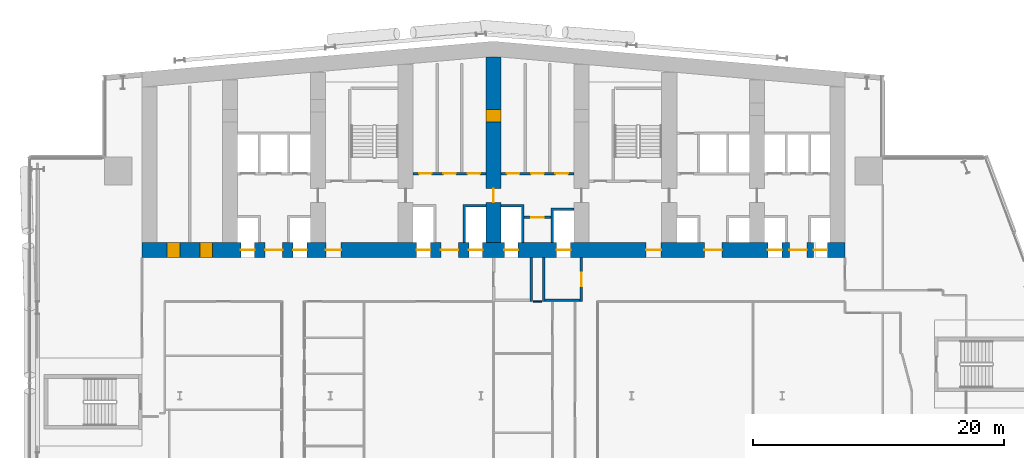
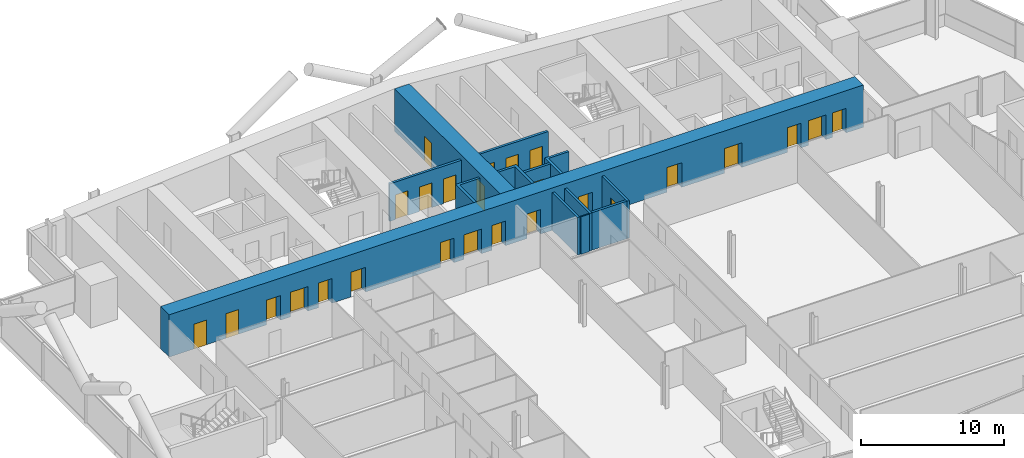
# One storey, part 16 of 27: 26 doors, 13 walls, 26 openings.
"""IFC4 building model written with IfcOpenShell, lengths in metres."""

import ifcopenshell
import ifcopenshell.guid

model = None  # the IFC model being written
_history = None  # IfcOwnerHistory: only IFC2X3 demands one
_inside = {}  # id of a spatial element -> (the spatial element, [elements in it])
_under = {}  # id of a project, library or spatial element -> (it, [spatial elements below it])
_declared = {}  # id of a project -> (the project, [libraries it declares])
_typed = {}  # id of a type object -> (the type object, [elements of that type])
_made_of = {}  # id of a material, layer set ... -> (it, [elements and type objects made of it])


def new_model(schema):
    """Start an empty IFC model of exactly this schema.

    Asked for "IFC4X3", IfcOpenShell would pick the latest addendum, in which some entities
    have other attributes; the version numbers below select the first issue.
    IFC2X3 requires an IfcOwnerHistory on every rooted entity: one is made here for all.
    """
    global model, _history
    if schema == "IFC4X3":
        model = ifcopenshell.file(schema_version=(4, 3, 0, 0))
    else:
        model = ifcopenshell.file(schema=schema)
    _inside.clear()
    _under.clear()
    _declared.clear()
    _typed.clear()
    _made_of.clear()
    _history = None
    if model.schema == "IFC2X3":
        org = make("IfcOrganization", Name="unknown")
        user = make(
            "IfcPersonAndOrganization",
            ThePerson=make("IfcPerson", FamilyName="unknown"),
            TheOrganization=org,
        )
        app = make(
            "IfcApplication",
            ApplicationDeveloper=org,
            Version="unknown",
            ApplicationFullName="unknown",
            ApplicationIdentifier="unknown",
        )
        _history = make(
            "IfcOwnerHistory",
            OwningUser=user,
            OwningApplication=app,
            ChangeAction="ADDED",
            CreationDate=0,
        )
    return model


def make(cls, **values):
    """One entity of the class cls with the attributes given. An attribute that is None is left unset."""
    return model.create_entity(
        cls, **{name: value for name, value in values.items() if value is not None}
    )


def rooted(cls, **values):
    """An entity with a GlobalId (a new one), such as an element, a storey or a relation."""
    return make(cls, GlobalId=ifcopenshell.guid.new(), OwnerHistory=_history, **values)


def si_unit(unit_type, name, prefix=None):
    """IfcSIUnit, for example si_unit("LENGTHUNIT", "METRE", prefix="MILLI")."""
    return make("IfcSIUnit", UnitType=unit_type, Prefix=prefix, Name=name)


def assignment(units):
    """IfcUnitAssignment: the units of a project."""
    return None if units is None else make("IfcUnitAssignment", Units=units)


def point(xyz):
    """IfcCartesianPoint."""
    return None if xyz is None else make("IfcCartesianPoint", Coordinates=xyz)


def direction(xyz):
    """IfcDirection."""
    return None if xyz is None else make("IfcDirection", DirectionRatios=xyz)


def frame(location, z_axis=None, x_axis=None):
    """IfcAxis2Placement3D, a coordinate frame: its origin and axes. An axis left out is left unset."""
    return make(
        "IfcAxis2Placement3D",
        Location=point(location),
        Axis=direction(z_axis),
        RefDirection=direction(x_axis),
    )


def frame_2d(location, x_axis=None):
    """IfcAxis2Placement2D, a coordinate frame in the plane: its origin and x axis."""
    return make(
        "IfcAxis2Placement2D", Location=point(location), RefDirection=direction(x_axis)
    )


def origin():
    """The frame at (0, 0, 0) with its axes left unset."""
    return frame((0.0, 0.0, 0.0))


def place(relative_to, where):
    """IfcLocalPlacement: puts the frame where relative to a parent placement (None: the world)."""
    return make(
        "IfcLocalPlacement", PlacementRelTo=relative_to, RelativePlacement=where
    )


def context(
    kind, dimensions, precision=None, world=None, true_north=None, identifier=None
):
    """IfcGeometricRepresentationContext, for example the 3D "Model" context."""
    return make(
        "IfcGeometricRepresentationContext",
        ContextIdentifier=identifier,
        ContextType=kind,
        CoordinateSpaceDimension=dimensions,
        Precision=precision,
        WorldCoordinateSystem=world,
        TrueNorth=true_north,
    )


def subcontext(parent, identifier, kind, view, scale=None):
    """IfcGeometricRepresentationSubContext, for example "Body" below "Model"."""
    return make(
        "IfcGeometricRepresentationSubContext",
        ContextIdentifier=identifier,
        ContextType=kind,
        ParentContext=parent,
        TargetScale=scale,
        TargetView=view,
    )


def project(units=None, contexts=None):
    """IfcProject with its units and contexts."""
    return rooted(
        "IfcProject",
        Name="project",
        RepresentationContexts=contexts,
        UnitsInContext=assignment(units),
    )


def spatial(cls, under=None, at=None, **own):
    """A site, building, storey or space (cls), placed at a placement, below another one or the project."""
    s = rooted(cls, ObjectPlacement=at, **own)
    if under is not None:
        _under.setdefault(under.id(), (under, []))[1].append(s)
    return s


def polyline(points):
    """IfcPolyline through the points."""
    return make("IfcPolyline", Points=[point(p) for p in points])


def profile(cls, at=None, kind="AREA", **sizes):
    """A parametric profile (cls). Its sizes go by their IFC names, for example OverallWidth=200.0."""
    return make(cls, ProfileType=kind, Position=at, **sizes)


def rectangle(**sizes):
    """IfcRectangleProfileDef."""
    return profile("IfcRectangleProfileDef", **sizes)


def outline(outer, holes=None, kind="AREA"):
    """IfcArbitraryClosedProfileDef: a profile drawn as a closed curve; with holes, ...WithVoids."""
    if holes is None:
        return make("IfcArbitraryClosedProfileDef", ProfileType=kind, OuterCurve=outer)
    return make(
        "IfcArbitraryProfileDefWithVoids",
        ProfileType=kind,
        OuterCurve=outer,
        InnerCurves=holes,
    )


def extrude(swept, where, along, depth):
    """IfcExtrudedAreaSolid: the profile swept, set in the frame where, extruded along a direction by depth."""
    return make(
        "IfcExtrudedAreaSolid",
        SweptArea=swept,
        Position=where,
        ExtrudedDirection=direction(along),
        Depth=depth,
    )


def shape(context_of_items, identifier, shape_type, items):
    """IfcShapeRepresentation: the items that make up one representation, for example the "Body"."""
    return make(
        "IfcShapeRepresentation",
        ContextOfItems=context_of_items,
        RepresentationIdentifier=identifier,
        RepresentationType=shape_type,
        Items=items,
    )


def material(Name=None, Category=None):
    """IfcMaterial."""
    return make("IfcMaterial", Name=Name, Category=Category)


def layer(
    of_material, thickness, ventilated=None, Name=None, Category=None, Priority=None
):
    """IfcMaterialLayer: one layer of a wall or slab, of a material (None: an air gap)."""
    return make(
        "IfcMaterialLayer",
        Material=of_material,
        LayerThickness=thickness,
        IsVentilated=ventilated,
        Name=Name,
        Category=Category,
        Priority=Priority,
    )


def layer_set(layers, Name=None):
    """IfcMaterialLayerSet."""
    return make("IfcMaterialLayerSet", MaterialLayers=layers, LayerSetName=Name)


def made_of(thing, what):
    """Note that an element or type object is made of a material, layer set ...; save() writes the relation."""
    if what is not None:
        _made_of.setdefault(what.id(), (what, []))[1].append(thing)
    return thing


def type_object(cls, material=None, **own):
    """A type object (cls), such as IfcWallType, which elements share."""
    return made_of(rooted(cls, **own), material)


def element(
    cls,
    number,
    at=None,
    inside=None,
    cuts=None,
    type_object=None,
    material=None,
    context=None,
    identifier="Body",
    shape_type=None,
    held_by="IfcProductDefinitionShape",
    body=None,
    shapes=None,
    **own,
):
    """One element of the class cls, such as IfcWall. Its Tag is "e" and its number.

    at: its placement. inside: the storey or other place that contains it. cuts: it is an
    opening in that element (IfcRelVoidsElement). A single representation is given by context,
    identifier, shape_type and body (its items); several are given by shapes. held_by: the class
    of the entity that holds the representations. save() writes the other relations.
    """
    e = rooted(cls, Tag="e%d" % number, ObjectPlacement=at, **own)
    if body is not None:
        shapes = [shape(context, identifier, shape_type, body)]
    if shapes is not None:
        e.Representation = make(held_by, Representations=shapes)
    if inside is not None:
        _inside.setdefault(inside.id(), (inside, []))[1].append(e)
    if cuts is not None:
        rooted(
            "IfcRelVoidsElement", RelatingBuildingElement=cuts, RelatedOpeningElement=e
        )
    if type_object is not None:
        _typed.setdefault(type_object.id(), (type_object, []))[1].append(e)
    return made_of(e, material)


def fill(opening, filler):
    """IfcRelFillsElement: the door or window that sits in an opening."""
    return rooted(
        "IfcRelFillsElement",
        RelatingOpeningElement=opening,
        RelatedBuildingElement=filler,
    )


def aggregate(whole, parts):
    """IfcRelAggregates: a whole, such as a stair, and the parts it consists of."""
    return rooted("IfcRelAggregates", RelatingObject=whole, RelatedObjects=parts)


def save(model, path):
    """Write the relations noted so far, then the file.

    IfcRelAggregates (storeys below a building ...), IfcRelContainedInSpatialStructure (elements
    in a storey), IfcRelDefinesByType, IfcRelAssociatesMaterial and IfcRelDeclares: one each for
    every whole, place, type object, material and project.
    """
    for whole, parts in _under.values():
        aggregate(whole, parts)
    for where, things in _inside.values():
        rooted(
            "IfcRelContainedInSpatialStructure",
            RelatedElements=things,
            RelatingStructure=where,
        )
    for kind, things in _typed.values():
        rooted("IfcRelDefinesByType", RelatedObjects=things, RelatingType=kind)
    for what, things in _made_of.values():
        rooted("IfcRelAssociatesMaterial", RelatedObjects=things, RelatingMaterial=what)
    for by, libraries in _declared.values():
        rooted("IfcRelDeclares", RelatingContext=by, RelatedDefinitions=libraries)
    model.write(path)


model = new_model("IFC4")

# Units and contexts
model_context = context("Model", 3, precision=1e-05, world=origin(), true_north=direction((0.0, 1.0)))
body_context = subcontext(model_context, "Body", "Model", "MODEL_VIEW")
ifc_project = project(units=[si_unit("LENGTHUNIT", "METRE"), si_unit("AREAUNIT", "SQUARE_METRE"), si_unit("VOLUMEUNIT", "CUBIC_METRE"), si_unit("PLANEANGLEUNIT", "RADIAN"), si_unit("MASSUNIT", "GRAM", prefix="KILO")], contexts=[model_context])

# Site, building, storey
site_placement = place(None, origin())
site = spatial("IfcSite", under=ifc_project, at=site_placement, CompositionType="ELEMENT")
building_placement = place(site_placement, origin())
building = spatial("IfcBuilding", under=site, at=building_placement, Name="Wharfspan Tower", CompositionType="ELEMENT")
storey_placement = place(building_placement, frame((0.0, 0.0, 73.899902)))
storey = spatial("IfcBuildingStorey", under=building, at=storey_placement, Name="L15", CompositionType="ELEMENT", Elevation=73.899902)

# Wall
ifc_material_1 = material(Name="Gypsum board on steel studs", Category="steel")
ifc_layer_1 = layer(ifc_material_1, 0.100098)
ifc_layer_set_1 = layer_set([ifc_layer_1], Name="Gypsum board on steel studs")
wall_type_1 = type_object("IfcWallType", Name="Compartment wall 100 EI 60", PredefinedType="PARTITIONING", material=ifc_layer_set_1)
wall_1_placement = place(storey_placement, frame((40.149902, 30.5, 0.0), z_axis=(0.0, 0.0, 1.0), x_axis=(1.0, 0.0, 0.0)))
element("IfcWall", 1, at=wall_1_placement, inside=storey, type_object=wall_type_1, Name="Partition L15.w026 (2)", PredefinedType="PARTITIONING", context=body_context, shape_type="SweptSolid", body=[
    extrude(rectangle(XDim=0.700195, YDim=0.100098, at=frame_2d((0.350098, 0.0))), origin(), (0.0, 0.0, 1.0), 3.200195),
])

# Wall, opening, door
ifc_material_2 = material(Name="Calcium silicate masonry", Category="masonry")
ifc_layer_2 = layer(ifc_material_2, 0.199951)
ifc_layer_set_2 = layer_set([ifc_layer_2], Name="Calcium silicate masonry")
wall_type_2 = type_object("IfcWallType", Name="Core room wall 200", PredefinedType="PARTITIONING", material=ifc_layer_set_2)
wall_2_placement = place(storey_placement, frame((39.43335, 37.199951, 0.0), z_axis=(0.0, 0.0, 1.0), x_axis=(1.0, 0.0, 0.0)))
wall_2 = element("IfcWall", 2, at=wall_2_placement, inside=storey, type_object=wall_type_2, Name="sw:L15:FR4.2", PredefinedType="PARTITIONING", context=body_context, shape_type="SweptSolid", body=[
    extrude(rectangle(XDim=2.133301, YDim=0.199951, at=frame_2d((1.06665, 0.0))), origin(), (0.0, 0.0, 1.0), 3.200195),
])
opening_1_placement = place(wall_2_placement, frame((0.56665, 0.0, 0.0)))
opening_1 = element("IfcOpeningElement", 3, at=opening_1_placement, cuts=wall_2, Name="Opening CD15.4H2", PredefinedType="OPENING", context=body_context, shape_type="SweptSolid", body=[
    extrude(rectangle(XDim=1.0, YDim=2.100098, at=frame_2d((0.5, 1.050049))), frame((0.0, 0.109863, 0.0), z_axis=(0.0, -1.0, 0.0), x_axis=(1.0, 0.0, 0.0)), (0.0, 0.0, 1.0), 0.219971),
])
ifc_material_3 = material(Name="Steel door leaf", Category="steel")
door_type_1 = type_object("IfcDoorType", Name="Core room door 1000x2100", OperationType="SINGLE_SWING_LEFT", PredefinedType="DOOR", material=ifc_material_3)
door_1_placement = place(opening_1_placement, origin())
door_1 = element("IfcDoor", 4, at=door_1_placement, inside=storey, type_object=door_type_1, Name="d:L15:4:fh4.2", OperationType="SINGLE_SWING_RIGHT", OverallHeight=2.100098, OverallWidth=1.0, PredefinedType="DOOR", context=body_context, shape_type="SweptSolid", body=[
    extrude(rectangle(XDim=1.0, YDim=2.100098, at=frame_2d((0.5, 1.050049))), frame((0.0, 0.024902, 0.0), z_axis=(0.0, -1.0, 0.0), x_axis=(1.0, 0.0, 0.0)), (0.0, 0.0, 1.0), 0.050049),
])
fill(opening_1, door_1)

# Wall, openings, doors
ifc_material_4 = material(Name="Concrete C70/85", Category="concrete")
ifc_layer_3 = layer(ifc_material_4, 1.199951)
ifc_layer_set_3 = layer_set([ifc_layer_3], Name="Concrete C70/85")
wall_type_3 = type_object("IfcWallType", Name="Core wall 1200 C70/85", PredefinedType="SHEAR", material=ifc_layer_set_3)
wall_3_placement = place(storey_placement, frame((9.0, 34.600098, 0.0), z_axis=(0.0, 0.0, 1.0), x_axis=(1.0, 0.0, 0.0)))
wall_3 = element("IfcWall", 5, at=wall_3_placement, inside=storey, type_object=wall_type_3, Name="Core front wall L15", PredefinedType="SHEAR", context=body_context, shape_type="SweptSolid", body=[
    extrude(rectangle(XDim=56.0, YDim=1.199951, at=frame_2d((28.0, 0.0))), origin(), (0.0, 0.0, 1.0), 3.600098),
])
opening_2_placement = place(wall_3_placement, frame((2.0, 0.0, 0.0)))
opening_2 = element("IfcOpeningElement", 6, at=opening_2_placement, cuts=wall_3, Name="Opening CD15.01", PredefinedType="OPENING", context=body_context, shape_type="SweptSolid", body=[
    extrude(rectangle(XDim=1.0, YDim=2.100098, at=frame_2d((0.5, 1.050049))), frame((0.0, 0.609863, 0.0), z_axis=(0.0, -1.0, 0.0), x_axis=(1.0, 0.0, 0.0)), (0.0, 0.0, 1.0), 1.219971),
])
opening_3_placement = place(wall_3_placement, frame((4.600098, 0.0, 0.0)))
opening_3 = element("IfcOpeningElement", 7, at=opening_3_placement, cuts=wall_3, Name="Opening CD15.02", PredefinedType="OPENING", context=body_context, shape_type="SweptSolid", body=[
    extrude(rectangle(XDim=1.0, YDim=2.100098, at=frame_2d((0.5, 1.050049))), frame((0.0, 0.609863, 0.0), z_axis=(0.0, -1.0, 0.0), x_axis=(1.0, 0.0, 0.0)), (0.0, 0.0, 1.0), 1.219971),
])
opening_4_placement = place(wall_3_placement, frame((7.866699, 0.0, 0.0)))
opening_4 = element("IfcOpeningElement", 8, at=opening_4_placement, cuts=wall_3, Name="Opening LD.LA1.L15", PredefinedType="OPENING", context=body_context, shape_type="SweptSolid", body=[
    extrude(rectangle(XDim=1.100098, YDim=2.100098, at=frame_2d((0.550049, 1.050049))), frame((0.0, 0.609863, 0.0), z_axis=(0.0, -1.0, 0.0), x_axis=(1.0, 0.0, 0.0)), (0.0, 0.0, 1.0), 1.219971),
])
opening_5_placement = place(wall_3_placement, frame((12.033203, 0.0, 0.0)))
opening_5 = element("IfcOpeningElement", 9, at=opening_5_placement, cuts=wall_3, Name="Opening LD.LA2.L15", PredefinedType="OPENING", context=body_context, shape_type="SweptSolid", body=[
    extrude(rectangle(XDim=1.100098, YDim=2.100098, at=frame_2d((0.550049, 1.050049))), frame((0.0, 0.609863, 0.0), z_axis=(0.0, -1.0, 0.0), x_axis=(1.0, 0.0, 0.0)), (0.0, 0.0, 1.0), 1.219971),
])
opening_6_placement = place(wall_3_placement, frame((9.800049, 0.0, 0.0)))
opening_6 = element("IfcOpeningElement", 10, at=opening_6_placement, cuts=wall_3, Name="Opening HD15.1", PredefinedType="OPENING", context=body_context, shape_type="SweptSolid", body=[
    extrude(rectangle(XDim=1.399902, YDim=2.100098, at=frame_2d((0.699951, 1.050049))), frame((0.0, 0.609863, 0.0), z_axis=(0.0, -1.0, 0.0), x_axis=(1.0, 0.0, 0.0)), (0.0, 0.0, 1.0), 1.219971),
])
opening_7_placement = place(wall_3_placement, frame((14.649902, 0.0, 0.0)))
opening_7 = element("IfcOpeningElement", 11, at=opening_7_placement, cuts=wall_3, Name="Opening SV2.L15", PredefinedType="OPENING", context=body_context, shape_type="SweptSolid", body=[
    extrude(rectangle(XDim=1.199951, YDim=2.100098, at=frame_2d((0.600098, 1.050049))), frame((0.0, 0.609863, 0.0), z_axis=(0.0, -1.0, 0.0), x_axis=(1.0, 0.0, 0.0)), (0.0, 0.0, 1.0), 1.219971),
])
opening_8_placement = place(wall_3_placement, frame((21.866699, 0.0, 0.0)))
opening_8 = element("IfcOpeningElement", 12, at=opening_8_placement, cuts=wall_3, Name="Opening LD.SL1.L15", PredefinedType="OPENING", context=body_context, shape_type="SweptSolid", body=[
    extrude(rectangle(XDim=1.100098, YDim=2.100098, at=frame_2d((0.550049, 1.050049))), frame((0.0, 0.609863, 0.0), z_axis=(0.0, -1.0, 0.0), x_axis=(1.0, 0.0, 0.0)), (0.0, 0.0, 1.0), 1.219971),
])
opening_9_placement = place(wall_3_placement, frame((26.033203, 0.0, 0.0)))
opening_9 = element("IfcOpeningElement", 13, at=opening_9_placement, cuts=wall_3, Name="Opening LD.SL2.L15", PredefinedType="OPENING", context=body_context, shape_type="SweptSolid", body=[
    extrude(rectangle(XDim=1.100098, YDim=2.100098, at=frame_2d((0.550049, 1.050049))), frame((0.0, 0.609863, 0.0), z_axis=(0.0, -1.0, 0.0), x_axis=(1.0, 0.0, 0.0)), (0.0, 0.0, 1.0), 1.219971),
])
opening_10_placement = place(wall_3_placement, frame((23.800049, 0.0, 0.0)))
opening_10 = element("IfcOpeningElement", 14, at=opening_10_placement, cuts=wall_3, Name="Opening HD15.3", PredefinedType="OPENING", context=body_context, shape_type="SweptSolid", body=[
    extrude(rectangle(XDim=1.399902, YDim=2.100098, at=frame_2d((0.699951, 1.050049))), frame((0.0, 0.609863, 0.0), z_axis=(0.0, -1.0, 0.0), x_axis=(1.0, 0.0, 0.0)), (0.0, 0.0, 1.0), 1.219971),
])
opening_11_placement = place(wall_3_placement, frame((28.866699, 0.0, 0.0)))
opening_11 = element("IfcOpeningElement", 15, at=opening_11_placement, cuts=wall_3, Name="Opening LD.FF1.L15", PredefinedType="OPENING", context=body_context, shape_type="SweptSolid", body=[
    extrude(rectangle(XDim=1.100098, YDim=2.100098, at=frame_2d((0.550049, 1.050049))), frame((0.0, 0.609863, 0.0), z_axis=(0.0, -1.0, 0.0), x_axis=(1.0, 0.0, 0.0)), (0.0, 0.0, 1.0), 1.219971),
])
opening_12_placement = place(wall_3_placement, frame((33.033203, 0.0, 0.0)))
opening_12 = element("IfcOpeningElement", 16, at=opening_12_placement, cuts=wall_3, Name="Opening LD.FF2.L15", PredefinedType="OPENING", context=body_context, shape_type="SweptSolid", body=[
    extrude(rectangle(XDim=1.100098, YDim=2.100098, at=frame_2d((0.550049, 1.050049))), frame((0.0, 0.609863, 0.0), z_axis=(0.0, -1.0, 0.0), x_axis=(1.0, 0.0, 0.0)), (0.0, 0.0, 1.0), 1.219971),
])
opening_13_placement = place(wall_3_placement, frame((40.149902, 0.0, 0.0)))
opening_13 = element("IfcOpeningElement", 17, at=opening_13_placement, cuts=wall_3, Name="Opening SV5.L15", PredefinedType="OPENING", context=body_context, shape_type="SweptSolid", body=[
    extrude(rectangle(XDim=1.199951, YDim=2.100098, at=frame_2d((0.600098, 1.050049))), frame((0.0, 0.609863, 0.0), z_axis=(0.0, -1.0, 0.0), x_axis=(1.0, 0.0, 0.0)), (0.0, 0.0, 1.0), 1.219971),
])
opening_14_placement = place(wall_3_placement, frame((44.800049, 0.0, 0.0)))
opening_14 = element("IfcOpeningElement", 18, at=opening_14_placement, cuts=wall_3, Name="Opening HD15.6", PredefinedType="OPENING", context=body_context, shape_type="SweptSolid", body=[
    extrude(rectangle(XDim=1.399902, YDim=2.100098, at=frame_2d((0.699951, 1.050049))), frame((0.0, 0.609863, 0.0), z_axis=(0.0, -1.0, 0.0), x_axis=(1.0, 0.0, 0.0)), (0.0, 0.0, 1.0), 1.219971),
])
opening_15_placement = place(wall_3_placement, frame((49.866699, 0.0, 0.0)))
opening_15 = element("IfcOpeningElement", 19, at=opening_15_placement, cuts=wall_3, Name="Opening LD.LA6.L15", PredefinedType="OPENING", context=body_context, shape_type="SweptSolid", body=[
    extrude(rectangle(XDim=1.100098, YDim=2.100098, at=frame_2d((0.550049, 1.050049))), frame((0.0, 0.609863, 0.0), z_axis=(0.0, -1.0, 0.0), x_axis=(1.0, 0.0, 0.0)), (0.0, 0.0, 1.0), 1.219971),
])
opening_16_placement = place(wall_3_placement, frame((53.5, 0.0, 0.0)))
opening_16 = element("IfcOpeningElement", 20, at=opening_16_placement, cuts=wall_3, Name="Opening LD.LA7.L15", PredefinedType="OPENING", context=body_context, shape_type="SweptSolid", body=[
    extrude(rectangle(XDim=1.100098, YDim=2.100098, at=frame_2d((0.550049, 1.050049))), frame((0.0, 0.609863, 0.0), z_axis=(0.0, -1.0, 0.0), x_axis=(1.0, 0.0, 0.0)), (0.0, 0.0, 1.0), 1.219971),
])
opening_17_placement = place(wall_3_placement, frame((51.56665, 0.0, 0.0)))
opening_17 = element("IfcOpeningElement", 21, at=opening_17_placement, cuts=wall_3, Name="Opening HD15.7", PredefinedType="OPENING", context=body_context, shape_type="SweptSolid", body=[
    extrude(rectangle(XDim=1.399902, YDim=2.100098, at=frame_2d((0.699951, 1.050049))), frame((0.0, 0.609863, 0.0), z_axis=(0.0, -1.0, 0.0), x_axis=(1.0, 0.0, 0.0)), (0.0, 0.0, 1.0), 1.219971),
])
door_2_placement = place(opening_2_placement, origin())
door_2 = element("IfcDoor", 22, at=door_2_placement, inside=storey, type_object=door_type_1, Name="d:L15:0:rf", OperationType="SINGLE_SWING_LEFT", OverallHeight=2.100098, OverallWidth=1.0, PredefinedType="DOOR", context=body_context, shape_type="SweptSolid", body=[
    extrude(rectangle(XDim=1.0, YDim=2.100098, at=frame_2d((0.5, 1.050049))), frame((0.0, 0.599609, 0.0), z_axis=(0.0, -1.0, 0.0), x_axis=(1.0, 0.0, 0.0)), (0.0, 0.0, 1.0), 1.199463),
])
fill(opening_2, door_2)
door_3_placement = place(opening_3_placement, origin())
door_3 = element("IfcDoor", 23, at=door_3_placement, inside=storey, type_object=door_type_1, Name="d:L15:0:rr", OperationType="SINGLE_SWING_RIGHT", OverallHeight=2.100098, OverallWidth=1.0, PredefinedType="DOOR", context=body_context, shape_type="SweptSolid", body=[
    extrude(rectangle(XDim=1.0, YDim=2.100098, at=frame_2d((0.5, 1.050049))), frame((0.0, 0.599609, 0.0), z_axis=(0.0, -1.0, 0.0), x_axis=(1.0, 0.0, 0.0)), (0.0, 0.0, 1.0), 1.199463),
])
fill(opening_3, door_3)
door_type_2 = type_object("IfcDoorType", Name="Hall entry door 1400x2100", OperationType="DOUBLE_DOOR_SINGLE_SWING", PredefinedType="DOOR", material=ifc_material_3)
door_4_placement = place(opening_6_placement, origin())
door_4 = element("IfcDoor", 24, at=door_4_placement, inside=storey, type_object=door_type_2, Name="d:L15:1:hd1", OperationType="DOUBLE_DOOR_SINGLE_SWING", OverallHeight=2.100098, OverallWidth=1.399902, PredefinedType="DOOR", context=body_context, shape_type="SweptSolid", body=[
    extrude(rectangle(XDim=1.399902, YDim=2.100098, at=frame_2d((0.699951, 1.050049))), frame((0.0, 0.024902, 0.0), z_axis=(0.0, -1.0, 0.0), x_axis=(1.0, 0.0, 0.0)), (0.0, 0.0, 1.0), 0.050049),
])
fill(opening_6, door_4)
door_5_placement = place(opening_10_placement, origin())
door_5 = element("IfcDoor", 25, at=door_5_placement, inside=storey, type_object=door_type_2, Name="d:L15:3:hd3", OperationType="DOUBLE_DOOR_SINGLE_SWING", OverallHeight=2.100098, OverallWidth=1.399902, PredefinedType="DOOR", context=body_context, shape_type="SweptSolid", body=[
    extrude(rectangle(XDim=1.399902, YDim=2.100098, at=frame_2d((0.699951, 1.050049))), frame((0.0, 0.024902, 0.0), z_axis=(0.0, -1.0, 0.0), x_axis=(1.0, 0.0, 0.0)), (0.0, 0.0, 1.0), 0.050049),
])
fill(opening_10, door_5)
door_6_placement = place(opening_14_placement, origin())
door_6 = element("IfcDoor", 26, at=door_6_placement, inside=storey, type_object=door_type_2, Name="d:L15:6:hd6", OperationType="DOUBLE_DOOR_SINGLE_SWING", OverallHeight=2.100098, OverallWidth=1.399902, PredefinedType="DOOR", context=body_context, shape_type="SweptSolid", body=[
    extrude(rectangle(XDim=1.399902, YDim=2.100098, at=frame_2d((0.699951, 1.050049))), frame((0.0, 0.024902, 0.0), z_axis=(0.0, -1.0, 0.0), x_axis=(1.0, 0.0, 0.0)), (0.0, 0.0, 1.0), 0.050049),
])
fill(opening_14, door_6)
door_7_placement = place(opening_17_placement, origin())
door_7 = element("IfcDoor", 27, at=door_7_placement, inside=storey, type_object=door_type_2, Name="d:L15:7:hd7", OperationType="DOUBLE_DOOR_SINGLE_SWING", OverallHeight=2.100098, OverallWidth=1.399902, PredefinedType="DOOR", context=body_context, shape_type="SweptSolid", body=[
    extrude(rectangle(XDim=1.399902, YDim=2.100098, at=frame_2d((0.699951, 1.050049))), frame((0.0, 0.024902, 0.0), z_axis=(0.0, -1.0, 0.0), x_axis=(1.0, 0.0, 0.0)), (0.0, 0.0, 1.0), 0.050049),
])
fill(opening_17, door_7)
ifc_material_5 = material(Name="Stainless steel", Category="steel")
door_type_3 = type_object("IfcDoorType", Name="Lift landing door 1100x2100", OperationType="DOUBLE_DOOR_SLIDING", PredefinedType="DOOR", material=ifc_material_5)
door_8_placement = place(opening_4_placement, origin())
door_8 = element("IfcDoor", 28, at=door_8_placement, inside=storey, type_object=door_type_3, Name="Landing door LA1 L15", OperationType="DOUBLE_DOOR_SLIDING", OverallHeight=2.100098, OverallWidth=1.100098, PredefinedType="DOOR", context=body_context, shape_type="SweptSolid", body=[
    extrude(rectangle(XDim=1.100098, YDim=2.100098, at=frame_2d((0.550049, 1.050049))), frame((0.0, 0.024902, 0.0), z_axis=(0.0, -1.0, 0.0), x_axis=(1.0, 0.0, 0.0)), (0.0, 0.0, 1.0), 0.050049),
])
fill(opening_4, door_8)
door_9_placement = place(opening_5_placement, origin())
door_9 = element("IfcDoor", 29, at=door_9_placement, inside=storey, type_object=door_type_3, Name="Landing door LA2 L15", OperationType="DOUBLE_DOOR_SLIDING", OverallHeight=2.100098, OverallWidth=1.100098, PredefinedType="DOOR", context=body_context, shape_type="SweptSolid", body=[
    extrude(rectangle(XDim=1.100098, YDim=2.100098, at=frame_2d((0.550049, 1.050049))), frame((0.0, 0.024902, 0.0), z_axis=(0.0, -1.0, 0.0), x_axis=(1.0, 0.0, 0.0)), (0.0, 0.0, 1.0), 0.050049),
])
fill(opening_5, door_9)
door_10_placement = place(opening_8_placement, origin())
door_10 = element("IfcDoor", 30, at=door_10_placement, inside=storey, type_object=door_type_3, Name="Landing door SL1 L15", OperationType="DOUBLE_DOOR_SLIDING", OverallHeight=2.100098, OverallWidth=1.100098, PredefinedType="DOOR", context=body_context, shape_type="SweptSolid", body=[
    extrude(rectangle(XDim=1.100098, YDim=2.100098, at=frame_2d((0.550049, 1.050049))), frame((0.0, 0.024902, 0.0), z_axis=(0.0, -1.0, 0.0), x_axis=(1.0, 0.0, 0.0)), (0.0, 0.0, 1.0), 0.050049),
])
fill(opening_8, door_10)
door_11_placement = place(opening_9_placement, origin())
door_11 = element("IfcDoor", 31, at=door_11_placement, inside=storey, type_object=door_type_3, Name="Landing door SL2 L15", OperationType="DOUBLE_DOOR_SLIDING", OverallHeight=2.100098, OverallWidth=1.100098, PredefinedType="DOOR", context=body_context, shape_type="SweptSolid", body=[
    extrude(rectangle(XDim=1.100098, YDim=2.100098, at=frame_2d((0.550049, 1.050049))), frame((0.0, 0.024902, 0.0), z_axis=(0.0, -1.0, 0.0), x_axis=(1.0, 0.0, 0.0)), (0.0, 0.0, 1.0), 0.050049),
])
fill(opening_9, door_11)
door_12_placement = place(opening_11_placement, origin())
door_12 = element("IfcDoor", 32, at=door_12_placement, inside=storey, type_object=door_type_3, Name="Landing door FF1 L15", OperationType="DOUBLE_DOOR_SLIDING", OverallHeight=2.100098, OverallWidth=1.100098, PredefinedType="DOOR", context=body_context, shape_type="SweptSolid", body=[
    extrude(rectangle(XDim=1.100098, YDim=2.100098, at=frame_2d((0.550049, 1.050049))), frame((0.0, 0.024902, 0.0), z_axis=(0.0, -1.0, 0.0), x_axis=(1.0, 0.0, 0.0)), (0.0, 0.0, 1.0), 0.050049),
])
fill(opening_11, door_12)
door_13_placement = place(opening_12_placement, origin())
door_13 = element("IfcDoor", 33, at=door_13_placement, inside=storey, type_object=door_type_3, Name="Landing door FF2 L15", OperationType="DOUBLE_DOOR_SLIDING", OverallHeight=2.100098, OverallWidth=1.100098, PredefinedType="DOOR", context=body_context, shape_type="SweptSolid", body=[
    extrude(rectangle(XDim=1.100098, YDim=2.100098, at=frame_2d((0.550049, 1.050049))), frame((0.0, 0.024902, 0.0), z_axis=(0.0, -1.0, 0.0), x_axis=(1.0, 0.0, 0.0)), (0.0, 0.0, 1.0), 0.050049),
])
fill(opening_12, door_13)
door_14_placement = place(opening_15_placement, origin())
door_14 = element("IfcDoor", 34, at=door_14_placement, inside=storey, type_object=door_type_3, Name="Landing door LA6 L15", OperationType="DOUBLE_DOOR_SLIDING", OverallHeight=2.100098, OverallWidth=1.100098, PredefinedType="DOOR", context=body_context, shape_type="SweptSolid", body=[
    extrude(rectangle(XDim=1.100098, YDim=2.100098, at=frame_2d((0.550049, 1.050049))), frame((0.0, 0.024902, 0.0), z_axis=(0.0, -1.0, 0.0), x_axis=(1.0, 0.0, 0.0)), (0.0, 0.0, 1.0), 0.050049),
])
fill(opening_15, door_14)
door_15_placement = place(opening_16_placement, origin())
door_15 = element("IfcDoor", 35, at=door_15_placement, inside=storey, type_object=door_type_3, Name="Landing door LA7 L15", OperationType="DOUBLE_DOOR_SLIDING", OverallHeight=2.100098, OverallWidth=1.100098, PredefinedType="DOOR", context=body_context, shape_type="SweptSolid", body=[
    extrude(rectangle(XDim=1.100098, YDim=2.100098, at=frame_2d((0.550049, 1.050049))), frame((0.0, 0.024902, 0.0), z_axis=(0.0, -1.0, 0.0), x_axis=(1.0, 0.0, 0.0)), (0.0, 0.0, 1.0), 0.050049),
])
fill(opening_16, door_15)
door_type_4 = type_object("IfcDoorType", Name="Stair door 1200x2100", OperationType="SINGLE_SWING_LEFT", PredefinedType="DOOR", material=ifc_material_3)
door_16_placement = place(opening_7_placement, origin())
door_16 = element("IfcDoor", 36, at=door_16_placement, inside=storey, type_object=door_type_4, Name="vd:L15:2", OperationType="SINGLE_SWING_LEFT", OverallHeight=2.100098, OverallWidth=1.199951, PredefinedType="DOOR", context=body_context, shape_type="SweptSolid", body=[
    extrude(rectangle(XDim=1.199951, YDim=2.100098, at=frame_2d((0.600098, 1.050049))), frame((0.0, 0.024902, 0.0), z_axis=(0.0, -1.0, 0.0), x_axis=(1.0, 0.0, 0.0)), (0.0, 0.0, 1.0), 0.050049),
])
fill(opening_7, door_16)
door_17_placement = place(opening_13_placement, origin())
door_17 = element("IfcDoor", 37, at=door_17_placement, inside=storey, type_object=door_type_4, Name="vd:L15:5", OperationType="SINGLE_SWING_LEFT", OverallHeight=2.100098, OverallWidth=1.199951, PredefinedType="DOOR", context=body_context, shape_type="SweptSolid", body=[
    extrude(rectangle(XDim=1.199951, YDim=2.100098, at=frame_2d((0.600098, 1.050049))), frame((0.0, 0.024902, 0.0), z_axis=(0.0, -1.0, 0.0), x_axis=(1.0, 0.0, 0.0)), (0.0, 0.0, 1.0), 0.050049),
])
fill(opening_13, door_17)

wall_4_placement = place(storey_placement, frame((37.0, 35.199951, 0.0), z_axis=(0.0, 0.0, 1.0), x_axis=(0.0, 1.0, 0.0)))
wall_4 = element("IfcWall", 38, at=wall_4_placement, inside=storey, type_object=wall_type_3, Name="Core cross wall X4 L15", PredefinedType="SHEAR", context=body_context, shape_type="SweptSolid", body=[
    extrude(rectangle(XDim=14.780029, YDim=1.199951, at=frame_2d((7.390137, 0.0))), origin(), (0.0, 0.0, 1.0), 3.600098),
])
opening_18_placement = place(wall_4_placement, frame((3.199951, 0.0, 0.0)))
opening_18 = element("IfcOpeningElement", 39, at=opening_18_placement, cuts=wall_4, Name="Opening CC15.4", PredefinedType="OPENING", context=body_context, shape_type="SweptSolid", body=[
    extrude(rectangle(XDim=1.100098, YDim=2.100098, at=frame_2d((0.550049, 1.050049))), frame((0.0, 0.609863, 0.0), z_axis=(0.0, -1.0, 0.0), x_axis=(1.0, 0.0, 0.0)), (0.0, 0.0, 1.0), 1.219971),
])
opening_19_placement = place(wall_4_placement, frame((9.600098, 0.0, 0.0)))
opening_19 = element("IfcOpeningElement", 40, at=opening_19_placement, cuts=wall_4, Name="Opening CR15.4", PredefinedType="OPENING", context=body_context, shape_type="SweptSolid", body=[
    extrude(rectangle(XDim=1.0, YDim=2.100098, at=frame_2d((0.5, 1.050049))), frame((0.0, 0.609863, 0.0), z_axis=(0.0, -1.0, 0.0), x_axis=(1.0, 0.0, 0.0)), (0.0, 0.0, 1.0), 1.219971),
])
door_type_5 = type_object("IfcDoorType", Name="Core corridor door 1100x2100", OperationType="SINGLE_SWING_LEFT", PredefinedType="DOOR", material=ifc_material_3)
door_18_placement = place(opening_18_placement, origin())
door_18 = element("IfcDoor", 41, at=door_18_placement, inside=storey, type_object=door_type_5, Name="xd:L15:4", OperationType="SINGLE_SWING_RIGHT", OverallHeight=2.100098, OverallWidth=1.100098, PredefinedType="DOOR", context=body_context, shape_type="SweptSolid", body=[
    extrude(rectangle(XDim=1.100098, YDim=2.100098, at=frame_2d((0.550049, 1.050049))), frame((0.0, 0.024902, 0.0), z_axis=(0.0, -1.0, 0.0), x_axis=(1.0, 0.0, 0.0)), (0.0, 0.0, 1.0), 0.050049),
])
fill(opening_18, door_18)
door_19_placement = place(opening_19_placement, origin())
door_19 = element("IfcDoor", 42, at=door_19_placement, inside=storey, type_object=door_type_1, Name="xr:L15:4", OperationType="SINGLE_SWING_RIGHT", OverallHeight=2.100098, OverallWidth=1.0, PredefinedType="DOOR", context=body_context, shape_type="SweptSolid", body=[
    extrude(rectangle(XDim=1.0, YDim=2.100098, at=frame_2d((0.5, 1.050049))), frame((0.0, 0.599609, 0.0), z_axis=(0.0, -1.0, 0.0), x_axis=(1.0, 0.0, 0.0)), (0.0, 0.0, 1.0), 1.199463),
])
fill(opening_19, door_19)

ifc_material_6 = material(Name="Concrete C30/37", Category="concrete")
ifc_layer_4 = layer(ifc_material_6, 0.199951)
ifc_layer_set_4 = layer_set([ifc_layer_4], Name="Concrete C30/37")
wall_type_4 = type_object("IfcWallType", Name="Lift shaft wall 200", PredefinedType="PARTITIONING", material=ifc_layer_set_4)
wall_5_placement = place(storey_placement, frame((30.600098, 40.699951, 0.0), z_axis=(0.0, 0.0, 1.0), x_axis=(1.0, 0.0, 0.0)))
wall_5 = element("IfcWall", 43, at=wall_5_placement, inside=storey, type_object=wall_type_4, Name="sw:L15:RF3", PredefinedType="PARTITIONING", context=body_context, shape_type="SweptSolid", body=[
    extrude(rectangle(XDim=5.799805, YDim=0.199951, at=frame_2d((2.899902, 0.0))), origin(), (0.0, 0.0, 1.0), 3.200195),
])
opening_20_placement = place(wall_5_placement, frame((0.466797, 0.0, 0.0)))
opening_20 = element("IfcOpeningElement", 44, at=opening_20_placement, cuts=wall_5, Name="Opening CD15.3S", PredefinedType="OPENING", context=body_context, shape_type="SweptSolid", body=[
    extrude(rectangle(XDim=1.0, YDim=2.100098, at=frame_2d((0.5, 1.050049))), frame((0.0, 0.109863, 0.0), z_axis=(0.0, -1.0, 0.0), x_axis=(1.0, 0.0, 0.0)), (0.0, 0.0, 1.0), 0.219971),
])
opening_21_placement = place(wall_5_placement, frame((2.399902, 0.0, 0.0)))
opening_21 = element("IfcOpeningElement", 45, at=opening_21_placement, cuts=wall_5, Name="Opening CD15.3Sa", PredefinedType="OPENING", context=body_context, shape_type="SweptSolid", body=[
    extrude(rectangle(XDim=1.0, YDim=2.100098, at=frame_2d((0.5, 1.050049))), frame((0.0, 0.109863, 0.0), z_axis=(0.0, -1.0, 0.0), x_axis=(1.0, 0.0, 0.0)), (0.0, 0.0, 1.0), 0.219971),
])
opening_22_placement = place(wall_5_placement, frame((4.333252, 0.0, 0.0)))
opening_22 = element("IfcOpeningElement", 46, at=opening_22_placement, cuts=wall_5, Name="Opening CD15.3Sb", PredefinedType="OPENING", context=body_context, shape_type="SweptSolid", body=[
    extrude(rectangle(XDim=1.0, YDim=2.100098, at=frame_2d((0.5, 1.050049))), frame((0.0, 0.109863, 0.0), z_axis=(0.0, -1.0, 0.0), x_axis=(1.0, 0.0, 0.0)), (0.0, 0.0, 1.0), 0.219971),
])
door_20_placement = place(opening_20_placement, origin())
door_20 = element("IfcDoor", 47, at=door_20_placement, inside=storey, type_object=door_type_1, Name="d:L15:3:sf", OperationType="SINGLE_SWING_LEFT", OverallHeight=2.100098, OverallWidth=1.0, PredefinedType="DOOR", context=body_context, shape_type="SweptSolid", body=[
    extrude(rectangle(XDim=1.0, YDim=2.100098, at=frame_2d((0.5, 1.050049))), frame((0.0, 0.024902, 0.0), z_axis=(0.0, -1.0, 0.0), x_axis=(1.0, 0.0, 0.0)), (0.0, 0.0, 1.0), 0.050049),
])
fill(opening_20, door_20)
door_21_placement = place(opening_21_placement, origin())
door_21 = element("IfcDoor", 48, at=door_21_placement, inside=storey, type_object=door_type_1, Name="d:L15:3:sf1", OperationType="SINGLE_SWING_LEFT", OverallHeight=2.100098, OverallWidth=1.0, PredefinedType="DOOR", context=body_context, shape_type="SweptSolid", body=[
    extrude(rectangle(XDim=1.0, YDim=2.100098, at=frame_2d((0.5, 1.050049))), frame((0.0, 0.024902, 0.0), z_axis=(0.0, -1.0, 0.0), x_axis=(1.0, 0.0, 0.0)), (0.0, 0.0, 1.0), 0.050049),
])
fill(opening_21, door_21)
door_22_placement = place(opening_22_placement, origin())
door_22 = element("IfcDoor", 49, at=door_22_placement, inside=storey, type_object=door_type_1, Name="d:L15:3:sf2", OperationType="SINGLE_SWING_LEFT", OverallHeight=2.100098, OverallWidth=1.0, PredefinedType="DOOR", context=body_context, shape_type="SweptSolid", body=[
    extrude(rectangle(XDim=1.0, YDim=2.100098, at=frame_2d((0.5, 1.050049))), frame((0.0, 0.024902, 0.0), z_axis=(0.0, -1.0, 0.0), x_axis=(1.0, 0.0, 0.0)), (0.0, 0.0, 1.0), 0.050049),
])
fill(opening_22, door_22)

# Wall
wall_6_placement = place(storey_placement, origin())
element("IfcWall", 50, at=wall_6_placement, inside=storey, type_object=wall_type_4, Name="sw:L15:FM3.1", PredefinedType="PARTITIONING", context=body_context, shape_type="SweptSolid", body=[
    extrude(outline(polyline([(34.56665, 38.25), (34.766602, 38.25), (36.399902, 38.25), (36.399902, 38.050049), (34.766602, 38.050049), (34.766602, 35.199951), (34.56665, 35.199951), (34.56665, 38.25)])), origin(), (0.0, 0.0, 1.0), 3.200195),
])

# Wall, openings, doors
wall_7_placement = place(storey_placement, frame((37.600098, 40.699951, 0.0), z_axis=(0.0, 0.0, 1.0), x_axis=(1.0, 0.0, 0.0)))
wall_7 = element("IfcWall", 51, at=wall_7_placement, inside=storey, type_object=wall_type_4, Name="sw:L15:RF4", PredefinedType="PARTITIONING", context=body_context, shape_type="SweptSolid", body=[
    extrude(rectangle(XDim=5.799805, YDim=0.199951, at=frame_2d((2.899902, 0.0))), origin(), (0.0, 0.0, 1.0), 3.200195),
])
opening_23_placement = place(wall_7_placement, frame((0.466797, 0.0, 0.0)))
opening_23 = element("IfcOpeningElement", 52, at=opening_23_placement, cuts=wall_7, Name="Opening CD15.4S", PredefinedType="OPENING", context=body_context, shape_type="SweptSolid", body=[
    extrude(rectangle(XDim=1.0, YDim=2.100098, at=frame_2d((0.5, 1.050049))), frame((0.0, 0.109863, 0.0), z_axis=(0.0, -1.0, 0.0), x_axis=(1.0, 0.0, 0.0)), (0.0, 0.0, 1.0), 0.219971),
])
opening_24_placement = place(wall_7_placement, frame((2.399902, 0.0, 0.0)))
opening_24 = element("IfcOpeningElement", 53, at=opening_24_placement, cuts=wall_7, Name="Opening CD15.4Sa", PredefinedType="OPENING", context=body_context, shape_type="SweptSolid", body=[
    extrude(rectangle(XDim=1.0, YDim=2.100098, at=frame_2d((0.5, 1.050049))), frame((0.0, 0.109863, 0.0), z_axis=(0.0, -1.0, 0.0), x_axis=(1.0, 0.0, 0.0)), (0.0, 0.0, 1.0), 0.219971),
])
opening_25_placement = place(wall_7_placement, frame((4.333252, 0.0, 0.0)))
opening_25 = element("IfcOpeningElement", 54, at=opening_25_placement, cuts=wall_7, Name="Opening CD15.4Sb", PredefinedType="OPENING", context=body_context, shape_type="SweptSolid", body=[
    extrude(rectangle(XDim=1.0, YDim=2.100098, at=frame_2d((0.5, 1.050049))), frame((0.0, 0.109863, 0.0), z_axis=(0.0, -1.0, 0.0), x_axis=(1.0, 0.0, 0.0)), (0.0, 0.0, 1.0), 0.219971),
])
door_23_placement = place(opening_23_placement, origin())
door_23 = element("IfcDoor", 55, at=door_23_placement, inside=storey, type_object=door_type_1, Name="d:L15:4:sf", OperationType="SINGLE_SWING_LEFT", OverallHeight=2.100098, OverallWidth=1.0, PredefinedType="DOOR", context=body_context, shape_type="SweptSolid", body=[
    extrude(rectangle(XDim=1.0, YDim=2.100098, at=frame_2d((0.5, 1.050049))), frame((0.0, 0.024902, 0.0), z_axis=(0.0, -1.0, 0.0), x_axis=(1.0, 0.0, 0.0)), (0.0, 0.0, 1.0), 0.050049),
])
fill(opening_23, door_23)
door_24_placement = place(opening_24_placement, origin())
door_24 = element("IfcDoor", 56, at=door_24_placement, inside=storey, type_object=door_type_1, Name="d:L15:4:sf1", OperationType="SINGLE_SWING_LEFT", OverallHeight=2.100098, OverallWidth=1.0, PredefinedType="DOOR", context=body_context, shape_type="SweptSolid", body=[
    extrude(rectangle(XDim=1.0, YDim=2.100098, at=frame_2d((0.5, 1.050049))), frame((0.0, 0.024902, 0.0), z_axis=(0.0, -1.0, 0.0), x_axis=(1.0, 0.0, 0.0)), (0.0, 0.0, 1.0), 0.050049),
])
fill(opening_24, door_24)
door_25_placement = place(opening_25_placement, origin())
door_25 = element("IfcDoor", 57, at=door_25_placement, inside=storey, type_object=door_type_1, Name="d:L15:4:sf2", OperationType="SINGLE_SWING_LEFT", OverallHeight=2.100098, OverallWidth=1.0, PredefinedType="DOOR", context=body_context, shape_type="SweptSolid", body=[
    extrude(rectangle(XDim=1.0, YDim=2.100098, at=frame_2d((0.5, 1.050049))), frame((0.0, 0.024902, 0.0), z_axis=(0.0, -1.0, 0.0), x_axis=(1.0, 0.0, 0.0)), (0.0, 0.0, 1.0), 0.050049),
])
fill(opening_25, door_25)

# Walls
wall_8_placement = place(storey_placement, origin())
element("IfcWall", 58, at=wall_8_placement, inside=storey, type_object=wall_type_4, Name="sw:L15:FM4.0", PredefinedType="PARTITIONING", context=body_context, shape_type="SweptSolid", body=[
    extrude(outline(polyline([(41.56665, 37.949951), (41.766602, 37.949951), (43.399902, 37.949951), (43.399902, 37.75), (41.766602, 37.75), (41.766602, 35.199951), (41.56665, 35.199951), (41.56665, 37.949951)])), origin(), (0.0, 0.0, 1.0), 3.200195),
])
wall_9_placement = place(storey_placement, origin())
element("IfcWall", 59, at=wall_9_placement, inside=storey, type_object=wall_type_4, Name="sw:L15:FM4.1", PredefinedType="PARTITIONING", context=body_context, shape_type="SweptSolid", body=[
    extrude(outline(polyline([(39.233398, 38.050049), (37.600098, 38.050049), (37.600098, 38.25), (39.233398, 38.25), (39.43335, 38.25), (39.43335, 35.199951), (39.233398, 35.199951), (39.233398, 38.050049)])), origin(), (0.0, 0.0, 1.0), 3.200195),
])
ifc_layer_5 = layer(ifc_material_6, 0.199951)
ifc_layer_set_5 = layer_set([ifc_layer_5], Name="Concrete C30/37")
wall_type_5 = type_object("IfcWallType", Name="Lobby wall 200", PredefinedType="PARTITIONING", material=ifc_layer_set_5)
for number, where, z_axis, x_axis, name in (
    (60, (40.0, 30.5, 0.0), (0.0, 0.0, 1.0), (0.0, 1.0, 0.0), "sw:L15:FLFF1E"),
    (61, (41.0, 30.5, 0.0), (0.0, 0.0, 1.0), (0.0, 1.0, 0.0), "sw:L15:FLFF2W"),
):
    element("IfcWall", number, at=place(storey_placement, frame(where, z_axis=z_axis, x_axis=x_axis)), inside=storey, type_object=wall_type_5, Name=name, PredefinedType="PARTITIONING", context=body_context, shape_type="SweptSolid", body=[
        extrude(rectangle(XDim=3.5, YDim=0.199951, at=frame_2d((1.75, 0.0))), origin(), (0.0, 0.0, 1.0), 3.200195),
    ])

# Wall, opening, door
wall_10_placement = place(storey_placement, frame((44.0, 30.5, 0.0), z_axis=(0.0, 0.0, 1.0), x_axis=(0.0, 1.0, 0.0)))
wall_10 = element("IfcWall", 62, at=wall_10_placement, inside=storey, type_object=wall_type_5, Name="sw:L15:FLFF2E", PredefinedType="PARTITIONING", context=body_context, shape_type="SweptSolid", body=[
    extrude(rectangle(XDim=3.5, YDim=0.199951, at=frame_2d((1.75, 0.0))), origin(), (0.0, 0.0, 1.0), 3.200195),
])
opening_26_placement = place(wall_10_placement, frame((1.199951, 0.0, 0.0)))
opening_26 = element("IfcOpeningElement", 63, at=opening_26_placement, cuts=wall_10, Name="Opening FL.FF2.L15", PredefinedType="OPENING", context=body_context, shape_type="SweptSolid", body=[
    extrude(rectangle(XDim=1.100098, YDim=2.100098, at=frame_2d((0.550049, 1.050049))), frame((0.0, 0.109863, 0.0), z_axis=(0.0, -1.0, 0.0), x_axis=(1.0, 0.0, 0.0)), (0.0, 0.0, 1.0), 0.219971),
])
door_type_6 = type_object("IfcDoorType", Name="Firefighting lobby door 1100x2100", OperationType="SINGLE_SWING_LEFT", PredefinedType="DOOR", material=ifc_material_3)
door_26_placement = place(opening_26_placement, origin())
door_26 = element("IfcDoor", 64, at=door_26_placement, inside=storey, type_object=door_type_6, Name="fd:L15:FF2", OperationType="SINGLE_SWING_LEFT", OverallHeight=2.100098, OverallWidth=1.100098, PredefinedType="DOOR", context=body_context, shape_type="SweptSolid", body=[
    extrude(rectangle(XDim=1.100098, YDim=2.100098, at=frame_2d((0.550049, 1.050049))), frame((0.0, 0.024902, 0.0), z_axis=(0.0, -1.0, 0.0), x_axis=(1.0, 0.0, 0.0)), (0.0, 0.0, 1.0), 0.050049),
])
fill(opening_26, door_26)

# Wall
wall_11_placement = place(storey_placement, frame((41.100098, 30.600098, 0.0), z_axis=(0.0, 0.0, 1.0), x_axis=(1.0, 0.0, 0.0)))
element("IfcWall", 65, at=wall_11_placement, inside=storey, type_object=wall_type_5, Name="sw:L15:FLFF2F", PredefinedType="PARTITIONING", context=body_context, shape_type="SweptSolid", body=[
    extrude(rectangle(XDim=2.799805, YDim=0.199951, at=frame_2d((1.399902, 0.0))), origin(), (0.0, 0.0, 1.0), 3.200195),
])

save(model, "model.ifc")
